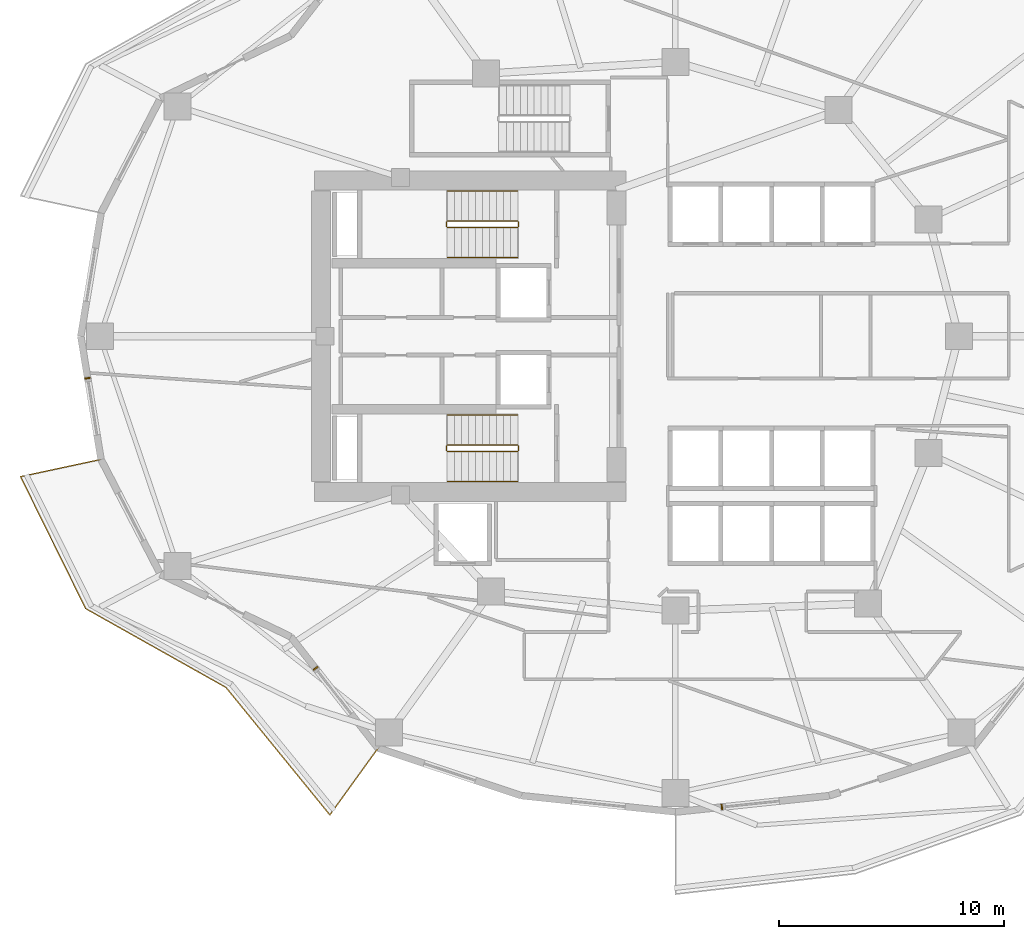
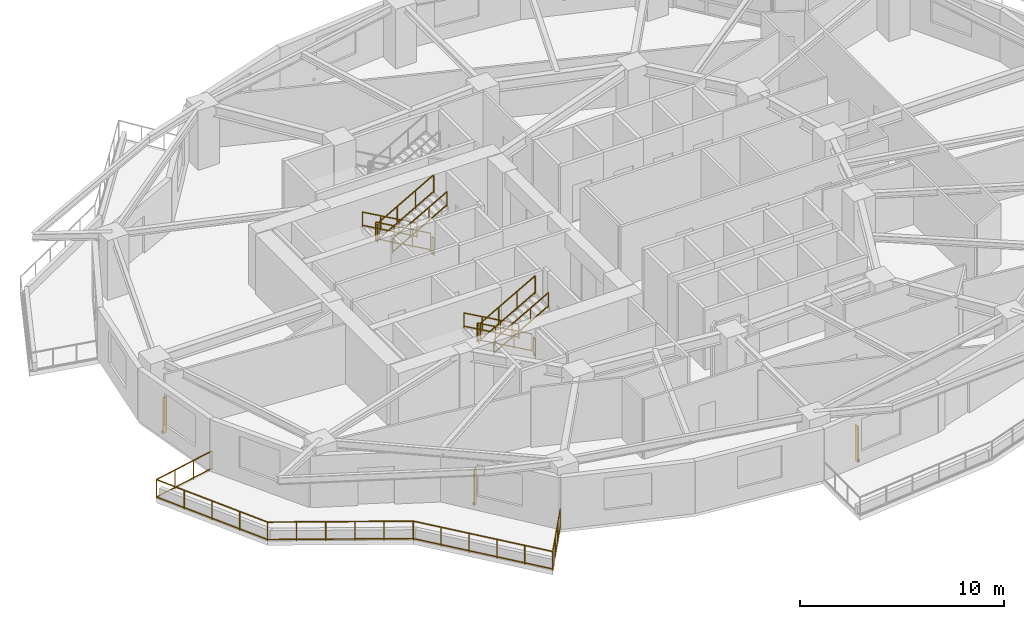
# One storey, part 11 of 13: 13 railings, 3 shading devices.
"""IFC4 building model written with IfcOpenShell, lengths in metres."""

import ifcopenshell
import ifcopenshell.guid

model = None  # the IFC model being written
_history = None  # IfcOwnerHistory: only IFC2X3 demands one
_inside = {}  # id of a spatial element -> (the spatial element, [elements in it])
_under = {}  # id of a project, library or spatial element -> (it, [spatial elements below it])
_declared = {}  # id of a project -> (the project, [libraries it declares])
_typed = {}  # id of a type object -> (the type object, [elements of that type])
_made_of = {}  # id of a material, layer set ... -> (it, [elements and type objects made of it])


def new_model(schema):
    """Start an empty IFC model of exactly this schema.

    Asked for "IFC4X3", IfcOpenShell would pick the latest addendum, in which some entities
    have other attributes; the version numbers below select the first issue.
    IFC2X3 requires an IfcOwnerHistory on every rooted entity: one is made here for all.
    """
    global model, _history
    if schema == "IFC4X3":
        model = ifcopenshell.file(schema_version=(4, 3, 0, 0))
    else:
        model = ifcopenshell.file(schema=schema)
    _inside.clear()
    _under.clear()
    _declared.clear()
    _typed.clear()
    _made_of.clear()
    _history = None
    if model.schema == "IFC2X3":
        org = make("IfcOrganization", Name="unknown")
        user = make(
            "IfcPersonAndOrganization",
            ThePerson=make("IfcPerson", FamilyName="unknown"),
            TheOrganization=org,
        )
        app = make(
            "IfcApplication",
            ApplicationDeveloper=org,
            Version="unknown",
            ApplicationFullName="unknown",
            ApplicationIdentifier="unknown",
        )
        _history = make(
            "IfcOwnerHistory",
            OwningUser=user,
            OwningApplication=app,
            ChangeAction="ADDED",
            CreationDate=0,
        )
    return model


def make(cls, **values):
    """One entity of the class cls with the attributes given. An attribute that is None is left unset."""
    return model.create_entity(
        cls, **{name: value for name, value in values.items() if value is not None}
    )


def rooted(cls, **values):
    """An entity with a GlobalId (a new one), such as an element, a storey or a relation."""
    return make(cls, GlobalId=ifcopenshell.guid.new(), OwnerHistory=_history, **values)


def si_unit(unit_type, name, prefix=None):
    """IfcSIUnit, for example si_unit("LENGTHUNIT", "METRE", prefix="MILLI")."""
    return make("IfcSIUnit", UnitType=unit_type, Prefix=prefix, Name=name)


def assignment(units):
    """IfcUnitAssignment: the units of a project."""
    return None if units is None else make("IfcUnitAssignment", Units=units)


def point(xyz):
    """IfcCartesianPoint."""
    return None if xyz is None else make("IfcCartesianPoint", Coordinates=xyz)


def direction(xyz):
    """IfcDirection."""
    return None if xyz is None else make("IfcDirection", DirectionRatios=xyz)


def frame(location, z_axis=None, x_axis=None):
    """IfcAxis2Placement3D, a coordinate frame: its origin and axes. An axis left out is left unset."""
    return make(
        "IfcAxis2Placement3D",
        Location=point(location),
        Axis=direction(z_axis),
        RefDirection=direction(x_axis),
    )


def frame_2d(location, x_axis=None):
    """IfcAxis2Placement2D, a coordinate frame in the plane: its origin and x axis."""
    return make(
        "IfcAxis2Placement2D", Location=point(location), RefDirection=direction(x_axis)
    )


def origin():
    """The frame at (0, 0, 0) with its axes left unset."""
    return frame((0.0, 0.0, 0.0))


def origin_2d():
    """The frame at (0, 0) in the plane with its x axis left unset."""
    return frame_2d((0.0, 0.0))


def place(relative_to, where):
    """IfcLocalPlacement: puts the frame where relative to a parent placement (None: the world)."""
    return make(
        "IfcLocalPlacement", PlacementRelTo=relative_to, RelativePlacement=where
    )


def context(
    kind, dimensions, precision=None, world=None, true_north=None, identifier=None
):
    """IfcGeometricRepresentationContext, for example the 3D "Model" context."""
    return make(
        "IfcGeometricRepresentationContext",
        ContextIdentifier=identifier,
        ContextType=kind,
        CoordinateSpaceDimension=dimensions,
        Precision=precision,
        WorldCoordinateSystem=world,
        TrueNorth=true_north,
    )


def subcontext(parent, identifier, kind, view, scale=None):
    """IfcGeometricRepresentationSubContext, for example "Body" below "Model"."""
    return make(
        "IfcGeometricRepresentationSubContext",
        ContextIdentifier=identifier,
        ContextType=kind,
        ParentContext=parent,
        TargetScale=scale,
        TargetView=view,
    )


def project(units=None, contexts=None):
    """IfcProject with its units and contexts."""
    return rooted(
        "IfcProject",
        Name="project",
        RepresentationContexts=contexts,
        UnitsInContext=assignment(units),
    )


def spatial(cls, under=None, at=None, **own):
    """A site, building, storey or space (cls), placed at a placement, below another one or the project."""
    s = rooted(cls, ObjectPlacement=at, **own)
    if under is not None:
        _under.setdefault(under.id(), (under, []))[1].append(s)
    return s


def profile(cls, at=None, kind="AREA", **sizes):
    """A parametric profile (cls). Its sizes go by their IFC names, for example OverallWidth=200.0."""
    return make(cls, ProfileType=kind, Position=at, **sizes)


def rectangle(**sizes):
    """IfcRectangleProfileDef."""
    return profile("IfcRectangleProfileDef", **sizes)


def extrude(swept, where, along, depth):
    """IfcExtrudedAreaSolid: the profile swept, set in the frame where, extruded along a direction by depth."""
    return make(
        "IfcExtrudedAreaSolid",
        SweptArea=swept,
        Position=where,
        ExtrudedDirection=direction(along),
        Depth=depth,
    )


def shape(context_of_items, identifier, shape_type, items):
    """IfcShapeRepresentation: the items that make up one representation, for example the "Body"."""
    return make(
        "IfcShapeRepresentation",
        ContextOfItems=context_of_items,
        RepresentationIdentifier=identifier,
        RepresentationType=shape_type,
        Items=items,
    )


def material(Name=None, Category=None):
    """IfcMaterial."""
    return make("IfcMaterial", Name=Name, Category=Category)


def made_of(thing, what):
    """Note that an element or type object is made of a material, layer set ...; save() writes the relation."""
    if what is not None:
        _made_of.setdefault(what.id(), (what, []))[1].append(thing)
    return thing


def type_object(cls, material=None, **own):
    """A type object (cls), such as IfcWallType, which elements share."""
    return made_of(rooted(cls, **own), material)


def element(
    cls,
    number,
    at=None,
    inside=None,
    cuts=None,
    type_object=None,
    material=None,
    context=None,
    identifier="Body",
    shape_type=None,
    held_by="IfcProductDefinitionShape",
    body=None,
    shapes=None,
    **own,
):
    """One element of the class cls, such as IfcWall. Its Tag is "e" and its number.

    at: its placement. inside: the storey or other place that contains it. cuts: it is an
    opening in that element (IfcRelVoidsElement). A single representation is given by context,
    identifier, shape_type and body (its items); several are given by shapes. held_by: the class
    of the entity that holds the representations. save() writes the other relations.
    """
    e = rooted(cls, Tag="e%d" % number, ObjectPlacement=at, **own)
    if body is not None:
        shapes = [shape(context, identifier, shape_type, body)]
    if shapes is not None:
        e.Representation = make(held_by, Representations=shapes)
    if inside is not None:
        _inside.setdefault(inside.id(), (inside, []))[1].append(e)
    if cuts is not None:
        rooted(
            "IfcRelVoidsElement", RelatingBuildingElement=cuts, RelatedOpeningElement=e
        )
    if type_object is not None:
        _typed.setdefault(type_object.id(), (type_object, []))[1].append(e)
    return made_of(e, material)


def aggregate(whole, parts):
    """IfcRelAggregates: a whole, such as a stair, and the parts it consists of."""
    return rooted("IfcRelAggregates", RelatingObject=whole, RelatedObjects=parts)


def save(model, path):
    """Write the relations noted so far, then the file.

    IfcRelAggregates (storeys below a building ...), IfcRelContainedInSpatialStructure (elements
    in a storey), IfcRelDefinesByType, IfcRelAssociatesMaterial and IfcRelDeclares: one each for
    every whole, place, type object, material and project.
    """
    for whole, parts in _under.values():
        aggregate(whole, parts)
    for where, things in _inside.values():
        rooted(
            "IfcRelContainedInSpatialStructure",
            RelatedElements=things,
            RelatingStructure=where,
        )
    for kind, things in _typed.values():
        rooted("IfcRelDefinesByType", RelatedObjects=things, RelatingType=kind)
    for what, things in _made_of.values():
        rooted("IfcRelAssociatesMaterial", RelatedObjects=things, RelatingMaterial=what)
    for by, libraries in _declared.values():
        rooted("IfcRelDeclares", RelatingContext=by, RelatedDefinitions=libraries)
    model.write(path)


model = new_model("IFC4")

# Units and contexts
model_context = context("Model", 3, precision=1e-05, world=origin(), true_north=direction((0.0, 1.0)))
body_context = subcontext(model_context, "Body", "Model", "MODEL_VIEW")
ifc_project = project(units=[si_unit("LENGTHUNIT", "METRE"), si_unit("AREAUNIT", "SQUARE_METRE"), si_unit("VOLUMEUNIT", "CUBIC_METRE"), si_unit("PLANEANGLEUNIT", "RADIAN"), si_unit("MASSUNIT", "GRAM", prefix="KILO")], contexts=[model_context])

# Site, building, storey
site_placement = place(None, origin())
site = spatial("IfcSite", under=ifc_project, at=site_placement, CompositionType="ELEMENT")
building_placement = place(site_placement, origin())
building = spatial("IfcBuilding", under=site, at=building_placement, Name="Kolvaren Gate Tower and Convention Centre", CompositionType="ELEMENT")
storey_placement = place(building_placement, frame((0.0, 0.0, 76.550048828125)))
storey = spatial("IfcBuildingStorey", under=building, at=storey_placement, Name="L18", CompositionType="ELEMENT", Elevation=76.550048828125)

# Railings
ifc_material_1 = material(Name="Brushed Stainless Steel Grade 316L", Category="steel")
railing_type_1 = type_object("IfcRailingType", Name="ARCH-RL-GUARD-1150", PredefinedType="GUARDRAIL", material=ifc_material_1)
railing_1_placement = place(storey_placement, frame((23.10009765625, 32.1298828125, 0.175048828125)))
element("IfcRailing", 1, at=railing_1_placement, inside=storey, type_object=railing_type_1, Name="L18 ST-T1 stair guard 1", PredefinedType="GUARDRAIL", context=body_context, shape_type="SweptSolid", body=[
    extrude(rectangle(XDim=0.048095703125, YDim=0.048095703125, at=origin_2d()), frame((0.0, 0.0, 1.076171875), z_axis=(-0.870830938388, 0.0, 0.491582624537), x_axis=(0.0, -1.0, 0.0)), (0.0, 0.0, 1.0), 3.559814453125),
    extrude(rectangle(XDim=0.048095703125, YDim=0.048095703125, at=origin_2d()), frame((0.0, 0.0, 0.083984375), z_axis=(-0.870830938388, 0.0, 0.491582624537), x_axis=(0.0, -1.0, 0.0)), (0.0, 0.0, 1.0), 3.559814453125),
    extrude(rectangle(XDim=0.0419921875, YDim=0.0419921875, at=origin_2d()), origin(), (0.0, 0.0, 1.0), 1.050048828125),
    extrude(rectangle(XDim=0.0419921875, YDim=0.0419921875, at=origin_2d()), frame((-3.10009765625, 0.0, 1.75)), (0.0, 0.0, 1.0), 1.050048828125),
    extrude(rectangle(XDim=0.0419921875, YDim=0.0419921875, at=origin_2d()), frame((-1.033447265625, 0.0, 0.583251953125)), (0.0, 0.0, 1.0), 1.050048828125),
    extrude(rectangle(XDim=0.0419921875, YDim=0.0419921875, at=origin_2d()), frame((-2.066650390625, 0.0, 1.166748046875)), (0.0, 0.0, 1.0), 1.050048828125),
])
railing_2_placement = place(storey_placement, frame((19.949951171875, 32.080078125, 1.925048828125)))
element("IfcRailing", 2, at=railing_2_placement, inside=storey, type_object=railing_type_1, Name="L18 ST-T1 stair guard 2", PredefinedType="GUARDRAIL", context=body_context, shape_type="SweptSolid", body=[
    extrude(rectangle(XDim=0.048095703125, YDim=0.048095703125, at=origin_2d()), frame((0.0, 0.0, 1.076171875), z_axis=(0.0, -1.0, 0.0), x_axis=(1.0, 0.0, 0.0)), (0.0, 0.0, 1.0), 0.2001953125),
    extrude(rectangle(XDim=0.048095703125, YDim=0.048095703125, at=origin_2d()), frame((0.0, 0.0, 0.083984375), z_axis=(0.0, -1.0, 0.0), x_axis=(1.0, 0.0, 0.0)), (0.0, 0.0, 1.0), 0.2001953125),
    extrude(rectangle(XDim=0.0419921875, YDim=0.0419921875, at=origin_2d()), origin(), (0.0, 0.0, 1.0), 1.050048828125),
    extrude(rectangle(XDim=0.0419921875, YDim=0.0419921875, at=origin_2d()), frame((0.0, -0.2001953125, 0.0)), (0.0, 0.0, 1.0), 1.050048828125),
])
railing_3_placement = place(storey_placement, frame((20.0, 31.830078125, 2.099853515625)))
element("IfcRailing", 3, at=railing_3_placement, inside=storey, type_object=railing_type_1, Name="L18 ST-T1 stair guard 3", PredefinedType="GUARDRAIL", context=body_context, shape_type="SweptSolid", body=[
    extrude(rectangle(XDim=0.048095703125, YDim=0.048095703125, at=origin_2d()), frame((0.0, 0.0, 1.076171875), z_axis=(0.870830938388, 0.0, 0.491582624537), x_axis=(0.0, 1.0, 0.0)), (0.0, 0.0, 1.0), 3.559814453125),
    extrude(rectangle(XDim=0.048095703125, YDim=0.048095703125, at=origin_2d()), frame((0.0, 0.0, 0.083984375), z_axis=(0.870830938388, 0.0, 0.491582624537), x_axis=(0.0, 1.0, 0.0)), (0.0, 0.0, 1.0), 3.559814453125),
    extrude(rectangle(XDim=0.0419921875, YDim=0.0419921875, at=origin_2d()), origin(), (0.0, 0.0, 1.0), 1.050048828125),
    extrude(rectangle(XDim=0.0419921875, YDim=0.0419921875, at=origin_2d()), frame((3.10009765625, 0.0, 1.75)), (0.0, 0.0, 1.0), 1.050048828125),
    extrude(rectangle(XDim=0.0419921875, YDim=0.0419921875, at=origin_2d()), frame((1.033447265625, 0.0, 0.583251953125)), (0.0, 0.0, 1.0), 1.050048828125),
    extrude(rectangle(XDim=0.0419921875, YDim=0.0419921875, at=origin_2d()), frame((2.066650390625, 0.0, 1.166748046875)), (0.0, 0.0, 1.0), 1.050048828125),
])
railing_4_placement = place(storey_placement, frame((23.14990234375, 32.080078125, 0.0)))
element("IfcRailing", 4, at=railing_4_placement, inside=storey, type_object=railing_type_1, Name="L18 ST-T1 stair guard 4", PredefinedType="GUARDRAIL", context=body_context, shape_type="SweptSolid", body=[
    extrude(rectangle(XDim=0.048095703125, YDim=0.048095703125, at=origin_2d()), frame((0.0, 0.0, 1.076171875), z_axis=(0.0, -1.0, 0.0), x_axis=(1.0, 0.0, 0.0)), (0.0, 0.0, 1.0), 0.2001953125),
    extrude(rectangle(XDim=0.048095703125, YDim=0.048095703125, at=origin_2d()), frame((0.0, 0.0, 0.083984375), z_axis=(0.0, -1.0, 0.0), x_axis=(1.0, 0.0, 0.0)), (0.0, 0.0, 1.0), 0.2001953125),
    extrude(rectangle(XDim=0.0419921875, YDim=0.0419921875, at=origin_2d()), origin(), (0.0, 0.0, 1.0), 1.050048828125),
    extrude(rectangle(XDim=0.0419921875, YDim=0.0419921875, at=origin_2d()), frame((0.0, -0.2001953125, 0.0)), (0.0, 0.0, 1.0), 1.050048828125),
])
railing_5_placement = place(storey_placement, frame((23.10009765625, 22.169921875, 0.175048828125)))
element("IfcRailing", 5, at=railing_5_placement, inside=storey, type_object=railing_type_1, Name="L18 ST-T2 stair guard 1", PredefinedType="GUARDRAIL", context=body_context, shape_type="SweptSolid", body=[
    extrude(rectangle(XDim=0.048095703125, YDim=0.048095703125, at=origin_2d()), frame((0.0, 0.0, 1.076171875), z_axis=(-0.870830938388, 0.0, 0.491582624537), x_axis=(0.0, -1.0, 0.0)), (0.0, 0.0, 1.0), 3.559814453125),
    extrude(rectangle(XDim=0.048095703125, YDim=0.048095703125, at=origin_2d()), frame((0.0, 0.0, 0.083984375), z_axis=(-0.870830938388, 0.0, 0.491582624537), x_axis=(0.0, -1.0, 0.0)), (0.0, 0.0, 1.0), 3.559814453125),
    extrude(rectangle(XDim=0.0419921875, YDim=0.0419921875, at=origin_2d()), origin(), (0.0, 0.0, 1.0), 1.050048828125),
    extrude(rectangle(XDim=0.0419921875, YDim=0.0419921875, at=origin_2d()), frame((-3.10009765625, 0.0, 1.75)), (0.0, 0.0, 1.0), 1.050048828125),
    extrude(rectangle(XDim=0.0419921875, YDim=0.0419921875, at=origin_2d()), frame((-1.033447265625, 0.0, 0.583251953125)), (0.0, 0.0, 1.0), 1.050048828125),
    extrude(rectangle(XDim=0.0419921875, YDim=0.0419921875, at=origin_2d()), frame((-2.066650390625, 0.0, 1.166748046875)), (0.0, 0.0, 1.0), 1.050048828125),
])
railing_6_placement = place(storey_placement, frame((19.949951171875, 22.1201171875, 1.925048828125)))
element("IfcRailing", 6, at=railing_6_placement, inside=storey, type_object=railing_type_1, Name="L18 ST-T2 stair guard 2", PredefinedType="GUARDRAIL", context=body_context, shape_type="SweptSolid", body=[
    extrude(rectangle(XDim=0.048095703125, YDim=0.048095703125, at=origin_2d()), frame((0.0, 0.0, 1.076171875), z_axis=(0.0, -1.0, 0.0), x_axis=(1.0, 0.0, 0.0)), (0.0, 0.0, 1.0), 0.2001953125),
    extrude(rectangle(XDim=0.048095703125, YDim=0.048095703125, at=origin_2d()), frame((0.0, 0.0, 0.083984375), z_axis=(0.0, -1.0, 0.0), x_axis=(1.0, 0.0, 0.0)), (0.0, 0.0, 1.0), 0.2001953125),
    extrude(rectangle(XDim=0.0419921875, YDim=0.0419921875, at=origin_2d()), origin(), (0.0, 0.0, 1.0), 1.050048828125),
    extrude(rectangle(XDim=0.0419921875, YDim=0.0419921875, at=origin_2d()), frame((0.0, -0.2001953125, 0.0)), (0.0, 0.0, 1.0), 1.050048828125),
])
railing_7_placement = place(storey_placement, frame((20.0, 21.8701171875, 2.099853515625)))
element("IfcRailing", 7, at=railing_7_placement, inside=storey, type_object=railing_type_1, Name="L18 ST-T2 stair guard 3", PredefinedType="GUARDRAIL", context=body_context, shape_type="SweptSolid", body=[
    extrude(rectangle(XDim=0.048095703125, YDim=0.048095703125, at=origin_2d()), frame((0.0, 0.0, 1.076171875), z_axis=(0.870830938388, 0.0, 0.491582624537), x_axis=(0.0, 1.0, 0.0)), (0.0, 0.0, 1.0), 3.559814453125),
    extrude(rectangle(XDim=0.048095703125, YDim=0.048095703125, at=origin_2d()), frame((0.0, 0.0, 0.083984375), z_axis=(0.870830938388, 0.0, 0.491582624537), x_axis=(0.0, 1.0, 0.0)), (0.0, 0.0, 1.0), 3.559814453125),
    extrude(rectangle(XDim=0.0419921875, YDim=0.0419921875, at=origin_2d()), origin(), (0.0, 0.0, 1.0), 1.050048828125),
    extrude(rectangle(XDim=0.0419921875, YDim=0.0419921875, at=origin_2d()), frame((3.10009765625, 0.0, 1.75)), (0.0, 0.0, 1.0), 1.050048828125),
    extrude(rectangle(XDim=0.0419921875, YDim=0.0419921875, at=origin_2d()), frame((1.033447265625, 0.0, 0.583251953125)), (0.0, 0.0, 1.0), 1.050048828125),
    extrude(rectangle(XDim=0.0419921875, YDim=0.0419921875, at=origin_2d()), frame((2.066650390625, 0.0, 1.166748046875)), (0.0, 0.0, 1.0), 1.050048828125),
])
railing_8_placement = place(storey_placement, frame((23.14990234375, 22.1201171875, 0.0)))
element("IfcRailing", 8, at=railing_8_placement, inside=storey, type_object=railing_type_1, Name="L18 ST-T2 stair guard 4", PredefinedType="GUARDRAIL", context=body_context, shape_type="SweptSolid", body=[
    extrude(rectangle(XDim=0.048095703125, YDim=0.048095703125, at=origin_2d()), frame((0.0, 0.0, 1.076171875), z_axis=(0.0, -1.0, 0.0), x_axis=(1.0, 0.0, 0.0)), (0.0, 0.0, 1.0), 0.2001953125),
    extrude(rectangle(XDim=0.048095703125, YDim=0.048095703125, at=origin_2d()), frame((0.0, 0.0, 0.083984375), z_axis=(0.0, -1.0, 0.0), x_axis=(1.0, 0.0, 0.0)), (0.0, 0.0, 1.0), 0.2001953125),
    extrude(rectangle(XDim=0.0419921875, YDim=0.0419921875, at=origin_2d()), origin(), (0.0, 0.0, 1.0), 1.050048828125),
    extrude(rectangle(XDim=0.0419921875, YDim=0.0419921875, at=origin_2d()), frame((0.0, -0.2001953125, 0.0)), (0.0, 0.0, 1.0), 1.050048828125),
])
railing_9_placement = place(storey_placement, frame((4.58837890625, 21.52587890625, 0.0)))
element("IfcRailing", 9, at=railing_9_placement, inside=storey, type_object=railing_type_1, Name="Tower L18 Terrace Perimeter Guardrail GR-2", PredefinedType="GUARDRAIL", context=body_context, shape_type="SweptSolid", body=[
    extrude(rectangle(XDim=0.048095703125, YDim=0.048095703125, at=origin_2d()), frame((-0.02734375, -0.005859375, 1.1259765625), z_axis=(-0.977791675321, -0.209579196661, 0.0), x_axis=(0.209579196661, -0.977791675321, 0.0)), (0.0, 0.0, 1.0), 3.60400390625),
    extrude(rectangle(XDim=0.048095703125, YDim=0.048095703125, at=origin_2d()), frame((-0.02734375, -0.005859375, 0.083984375), z_axis=(-0.977791675321, -0.209579196661, 0.0), x_axis=(0.209579196661, -0.977791675321, 0.0)), (0.0, 0.0, 1.0), 3.60400390625),
    extrude(rectangle(XDim=0.048095703125, YDim=0.048095703125, at=origin_2d()), frame((-3.56640625, -0.792236328125, 1.1259765625), z_axis=(0.442686636348, -0.89667638644, 0.0), x_axis=(0.89667638644, 0.442686636348, 0.0)), (0.0, 0.0, 1.0), 6.488525390625),
    extrude(rectangle(XDim=0.048095703125, YDim=0.048095703125, at=origin_2d()), frame((-3.56640625, -0.792236328125, 0.083984375), z_axis=(0.442686636348, -0.89667638644, 0.0), x_axis=(0.89667638644, 0.442686636348, 0.0)), (0.0, 0.0, 1.0), 6.488525390625),
    extrude(rectangle(XDim=0.048095703125, YDim=0.048095703125, at=origin_2d()), frame((-0.6572265625, -6.649169921875, 1.1259765625), z_axis=(0.871783301661, -0.489891697159, 0.0), x_axis=(0.489891697159, 0.871783301661, 0.0)), (0.0, 0.0, 1.0), 7.096435546875),
    extrude(rectangle(XDim=0.048095703125, YDim=0.048095703125, at=origin_2d()), frame((-0.6572265625, -6.649169921875, 0.083984375), z_axis=(0.871783301661, -0.489891697159, 0.0), x_axis=(0.489891697159, 0.871783301661, 0.0)), (0.0, 0.0, 1.0), 7.096435546875),
    extrude(rectangle(XDim=0.048095703125, YDim=0.048095703125, at=origin_2d()), frame((5.571533203125, -10.1611328125, 1.1259765625), z_axis=(0.631819273026, -0.775115737315, 0.0), x_axis=(0.775115737315, 0.631819273026, 0.0)), (0.0, 0.0, 1.0), 7.259765625),
    extrude(rectangle(XDim=0.048095703125, YDim=0.048095703125, at=origin_2d()), frame((5.571533203125, -10.1611328125, 0.083984375), z_axis=(0.631819273026, -0.775115737315, 0.0), x_axis=(0.775115737315, 0.631819273026, 0.0)), (0.0, 0.0, 1.0), 7.259765625),
    extrude(rectangle(XDim=0.048095703125, YDim=0.048095703125, at=origin_2d()), frame((10.1923828125, -15.787353515625, 1.1259765625), z_axis=(0.585212870465, 0.810879705161, 0.0), x_axis=(-0.810879705161, 0.585212870465, 0.0)), (0.0, 0.0, 1.0), 3.603759765625),
    extrude(rectangle(XDim=0.048095703125, YDim=0.048095703125, at=origin_2d()), frame((10.1923828125, -15.787353515625, 0.083984375), z_axis=(0.585212870465, 0.810879705161, 0.0), x_axis=(-0.810879705161, 0.585212870465, 0.0)), (0.0, 0.0, 1.0), 3.603759765625),
    extrude(rectangle(XDim=0.0419921875, YDim=0.0419921875, at=origin_2d()), origin(), (0.0, 0.0, 1.0), 1.14990234375),
    extrude(rectangle(XDim=0.0419921875, YDim=0.0419921875, at=origin_2d()), frame((-3.578857421875, -0.76708984375, 0.0)), (0.0, 0.0, 1.0), 1.14990234375),
    extrude(rectangle(XDim=0.0419921875, YDim=0.0419921875, at=origin_2d()), frame((-1.19287109375, -0.255615234375, 0.0)), (0.0, 0.0, 1.0), 1.099853515625),
    extrude(rectangle(XDim=0.0419921875, YDim=0.0419921875, at=origin_2d()), frame((-2.385986328125, -0.511474609375, 0.0)), (0.0, 0.0, 1.0), 1.099853515625),
    extrude(rectangle(XDim=0.0419921875, YDim=0.0419921875, at=origin_2d()), frame((-0.681640625, -6.635498046875, 0.0)), (0.0, 0.0, 1.0), 1.14990234375),
    extrude(rectangle(XDim=0.0419921875, YDim=0.0419921875, at=origin_2d()), frame((-2.8544921875, -2.234130859375, 0.0)), (0.0, 0.0, 1.0), 1.099853515625),
    extrude(rectangle(XDim=0.0419921875, YDim=0.0419921875, at=origin_2d()), frame((-2.13037109375, -3.701171875, 0.0)), (0.0, 0.0, 1.0), 1.099853515625),
    extrude(rectangle(XDim=0.0419921875, YDim=0.0419921875, at=origin_2d()), frame((-1.406005859375, -5.16845703125, 0.0)), (0.0, 0.0, 1.0), 1.099853515625),
    extrude(rectangle(XDim=0.0419921875, YDim=0.0419921875, at=origin_2d()), frame((5.5537109375, -10.139404296875, 0.0)), (0.0, 0.0, 1.0), 1.14990234375),
    extrude(rectangle(XDim=0.0419921875, YDim=0.0419921875, at=origin_2d()), frame((0.5654296875, -7.336181640625, 0.0)), (0.0, 0.0, 1.0), 1.099853515625),
    extrude(rectangle(XDim=0.0419921875, YDim=0.0419921875, at=origin_2d()), frame((1.8125, -8.037109375, 0.0)), (0.0, 0.0, 1.0), 1.099853515625),
    extrude(rectangle(XDim=0.0419921875, YDim=0.0419921875, at=origin_2d()), frame((3.0595703125, -8.73779296875, 0.0)), (0.0, 0.0, 1.0), 1.099853515625),
    extrude(rectangle(XDim=0.0419921875, YDim=0.0419921875, at=origin_2d()), frame((4.306640625, -9.438720703125, 0.0)), (0.0, 0.0, 1.0), 1.099853515625),
    extrude(rectangle(XDim=0.0419921875, YDim=0.0419921875, at=origin_2d()), frame((10.176025390625, -15.81005859375, 0.0)), (0.0, 0.0, 1.0), 1.14990234375),
    extrude(rectangle(XDim=0.0419921875, YDim=0.0419921875, at=origin_2d()), frame((6.478271484375, -11.2734375, 0.0)), (0.0, 0.0, 1.0), 1.099853515625),
    extrude(rectangle(XDim=0.0419921875, YDim=0.0419921875, at=origin_2d()), frame((7.402587890625, -12.40771484375, 0.0)), (0.0, 0.0, 1.0), 1.099853515625),
    extrude(rectangle(XDim=0.0419921875, YDim=0.0419921875, at=origin_2d()), frame((8.3271484375, -13.541748046875, 0.0)), (0.0, 0.0, 1.0), 1.099853515625),
    extrude(rectangle(XDim=0.0419921875, YDim=0.0419921875, at=origin_2d()), frame((9.25146484375, -14.676025390625, 0.0)), (0.0, 0.0, 1.0), 1.099853515625),
    extrude(rectangle(XDim=0.0419921875, YDim=0.0419921875, at=origin_2d()), frame((12.31787109375, -12.84228515625, 0.0)), (0.0, 0.0, 1.0), 1.14990234375),
    extrude(rectangle(XDim=0.0419921875, YDim=0.0419921875, at=origin_2d()), frame((10.889892578125, -14.82080078125, 0.0)), (0.0, 0.0, 1.0), 1.099853515625),
    extrude(rectangle(XDim=0.0419921875, YDim=0.0419921875, at=origin_2d()), frame((11.60400390625, -13.83154296875, 0.0)), (0.0, 0.0, 1.0), 1.099853515625),
])
railing_type_2 = type_object("IfcRailingType", Name="ARCH-RL-HANDRAIL-920", PredefinedType="HANDRAIL", material=ifc_material_1)
railing_10_placement = place(storey_placement, frame((23.10009765625, 33.449951171875, 0.175048828125)))
element("IfcRailing", 10, at=railing_10_placement, inside=storey, type_object=railing_type_2, Name="L18 ST-T1 stair handrail 1", PredefinedType="HANDRAIL", context=body_context, shape_type="SweptSolid", body=[
    extrude(rectangle(XDim=0.048095703125, YDim=0.048095703125, at=origin_2d()), frame((0.0, 0.0, 0.8759765625), z_axis=(-0.870830938388, 0.0, 0.491582624537), x_axis=(0.0, -1.0, 0.0)), (0.0, 0.0, 1.0), 3.559814453125),
    extrude(rectangle(XDim=0.048095703125, YDim=0.048095703125, at=origin_2d()), frame((0.0, 0.0, 0.083984375), z_axis=(-0.870830938388, 0.0, 0.491582624537), x_axis=(0.0, -1.0, 0.0)), (0.0, 0.0, 1.0), 3.559814453125),
    extrude(rectangle(XDim=0.0419921875, YDim=0.0419921875, at=origin_2d()), origin(), (0.0, 0.0, 1.0), 0.849853515625),
    extrude(rectangle(XDim=0.0419921875, YDim=0.0419921875, at=origin_2d()), frame((-3.10009765625, 0.0, 1.75)), (0.0, 0.0, 1.0), 0.849853515625),
    extrude(rectangle(XDim=0.0419921875, YDim=0.0419921875, at=origin_2d()), frame((-1.033447265625, 0.0, 0.583251953125)), (0.0, 0.0, 1.0), 0.849853515625),
    extrude(rectangle(XDim=0.0419921875, YDim=0.0419921875, at=origin_2d()), frame((-2.066650390625, 0.0, 1.166748046875)), (0.0, 0.0, 1.0), 0.849853515625),
])
railing_11_placement = place(storey_placement, frame((20.0, 30.510009765625, 2.099853515625)))
element("IfcRailing", 11, at=railing_11_placement, inside=storey, type_object=railing_type_2, Name="L18 ST-T1 stair handrail 2", PredefinedType="HANDRAIL", context=body_context, shape_type="SweptSolid", body=[
    extrude(rectangle(XDim=0.048095703125, YDim=0.048095703125, at=origin_2d()), frame((0.0, 0.0, 0.8759765625), z_axis=(0.870830938388, 0.0, 0.491582624537), x_axis=(0.0, 1.0, 0.0)), (0.0, 0.0, 1.0), 3.559814453125),
    extrude(rectangle(XDim=0.048095703125, YDim=0.048095703125, at=origin_2d()), frame((0.0, 0.0, 0.083984375), z_axis=(0.870830938388, 0.0, 0.491582624537), x_axis=(0.0, 1.0, 0.0)), (0.0, 0.0, 1.0), 3.559814453125),
    extrude(rectangle(XDim=0.0419921875, YDim=0.0419921875, at=origin_2d()), origin(), (0.0, 0.0, 1.0), 0.849853515625),
    extrude(rectangle(XDim=0.0419921875, YDim=0.0419921875, at=origin_2d()), frame((3.10009765625, 0.0, 1.75)), (0.0, 0.0, 1.0), 0.849853515625),
    extrude(rectangle(XDim=0.0419921875, YDim=0.0419921875, at=origin_2d()), frame((1.033447265625, 0.0, 0.583251953125)), (0.0, 0.0, 1.0), 0.849853515625),
    extrude(rectangle(XDim=0.0419921875, YDim=0.0419921875, at=origin_2d()), frame((2.066650390625, 0.0, 1.166748046875)), (0.0, 0.0, 1.0), 0.849853515625),
])
railing_12_placement = place(storey_placement, frame((23.10009765625, 23.489990234375, 0.175048828125)))
element("IfcRailing", 12, at=railing_12_placement, inside=storey, type_object=railing_type_2, Name="L18 ST-T2 stair handrail 1", PredefinedType="HANDRAIL", context=body_context, shape_type="SweptSolid", body=[
    extrude(rectangle(XDim=0.048095703125, YDim=0.048095703125, at=origin_2d()), frame((0.0, 0.0, 0.8759765625), z_axis=(-0.870830938388, 0.0, 0.491582624537), x_axis=(0.0, -1.0, 0.0)), (0.0, 0.0, 1.0), 3.559814453125),
    extrude(rectangle(XDim=0.048095703125, YDim=0.048095703125, at=origin_2d()), frame((0.0, 0.0, 0.083984375), z_axis=(-0.870830938388, 0.0, 0.491582624537), x_axis=(0.0, -1.0, 0.0)), (0.0, 0.0, 1.0), 3.559814453125),
    extrude(rectangle(XDim=0.0419921875, YDim=0.0419921875, at=origin_2d()), origin(), (0.0, 0.0, 1.0), 0.849853515625),
    extrude(rectangle(XDim=0.0419921875, YDim=0.0419921875, at=origin_2d()), frame((-3.10009765625, 0.0, 1.75)), (0.0, 0.0, 1.0), 0.849853515625),
    extrude(rectangle(XDim=0.0419921875, YDim=0.0419921875, at=origin_2d()), frame((-1.033447265625, 0.0, 0.583251953125)), (0.0, 0.0, 1.0), 0.849853515625),
    extrude(rectangle(XDim=0.0419921875, YDim=0.0419921875, at=origin_2d()), frame((-2.066650390625, 0.0, 1.166748046875)), (0.0, 0.0, 1.0), 0.849853515625),
])
railing_13_placement = place(storey_placement, frame((20.0, 20.550048828125, 2.099853515625)))
element("IfcRailing", 13, at=railing_13_placement, inside=storey, type_object=railing_type_2, Name="L18 ST-T2 stair handrail 2", PredefinedType="HANDRAIL", context=body_context, shape_type="SweptSolid", body=[
    extrude(rectangle(XDim=0.048095703125, YDim=0.048095703125, at=origin_2d()), frame((0.0, 0.0, 0.8759765625), z_axis=(0.870830938388, 0.0, 0.491582624537), x_axis=(0.0, 1.0, 0.0)), (0.0, 0.0, 1.0), 3.559814453125),
    extrude(rectangle(XDim=0.048095703125, YDim=0.048095703125, at=origin_2d()), frame((0.0, 0.0, 0.083984375), z_axis=(0.870830938388, 0.0, 0.491582624537), x_axis=(0.0, 1.0, 0.0)), (0.0, 0.0, 1.0), 3.559814453125),
    extrude(rectangle(XDim=0.0419921875, YDim=0.0419921875, at=origin_2d()), origin(), (0.0, 0.0, 1.0), 0.849853515625),
    extrude(rectangle(XDim=0.0419921875, YDim=0.0419921875, at=origin_2d()), frame((3.10009765625, 0.0, 1.75)), (0.0, 0.0, 1.0), 0.849853515625),
    extrude(rectangle(XDim=0.0419921875, YDim=0.0419921875, at=origin_2d()), frame((1.033447265625, 0.0, 0.583251953125)), (0.0, 0.0, 1.0), 0.849853515625),
    extrude(rectangle(XDim=0.0419921875, YDim=0.0419921875, at=origin_2d()), frame((2.066650390625, 0.0, 1.166748046875)), (0.0, 0.0, 1.0), 0.849853515625),
])

# Shading devices
ifc_material_2 = material(Name="Kiln-Fired Bogota Terracotta Ceramic Louvre Profile", Category="masonry")
shading_device_type = type_object("IfcShadingDeviceType", Name="ARCH-SHD-FIN-180", PredefinedType="JALOUSIE", material=ifc_material_2)
for number, where, z_axis, x_axis, name in (
    (14, (3.994384765625, 25.135009765625, 0.219970703125), (0.0, 0.0, 1.0), (0.162375401515, -0.986729055508, 0.0), "Ceramic Vertical Brise-Soleil Fin FN-L18-12"),
    (15, (14.127685546875, 12.23291015625, 0.219970703125), (0.0, 0.0, 1.0), (0.616431370541, -0.787408639407, 0.0), "Ceramic Vertical Brise-Soleil Fin FN-L18-15"),
    (16, (32.193603515625, 6.06787109375, 0.219970703125), (0.0, 0.0, 1.0), (0.994498884311, 0.104747167526, 0.0), "Ceramic Vertical Brise-Soleil Fin FN-L18-18"),
):
    element("IfcShadingDevice", number, at=place(storey_placement, frame(where, z_axis=z_axis, x_axis=x_axis)), inside=storey, type_object=shading_device_type, Name=name, PredefinedType="JALOUSIE", context=body_context, shape_type="SweptSolid", body=[
        extrude(rectangle(XDim=0.06005859375, YDim=0.239990234375, at=origin_2d()), origin(), (0.0, 0.0, 1.0), 2.14990234375),
    ])

save(model, "model.ifc")
